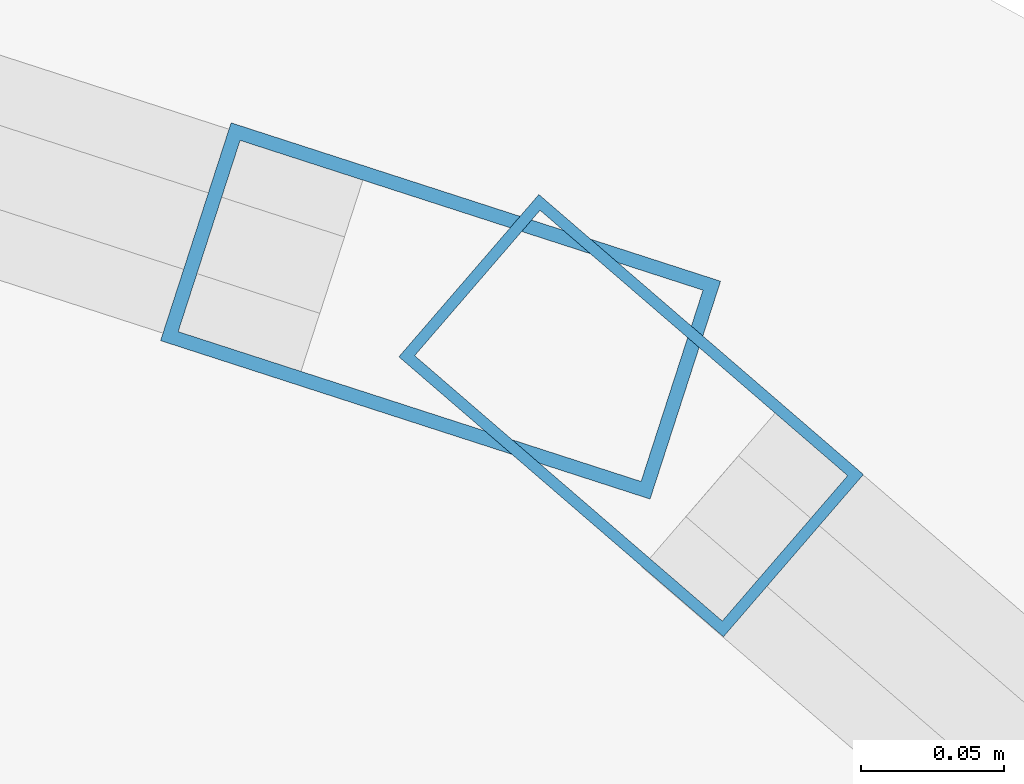
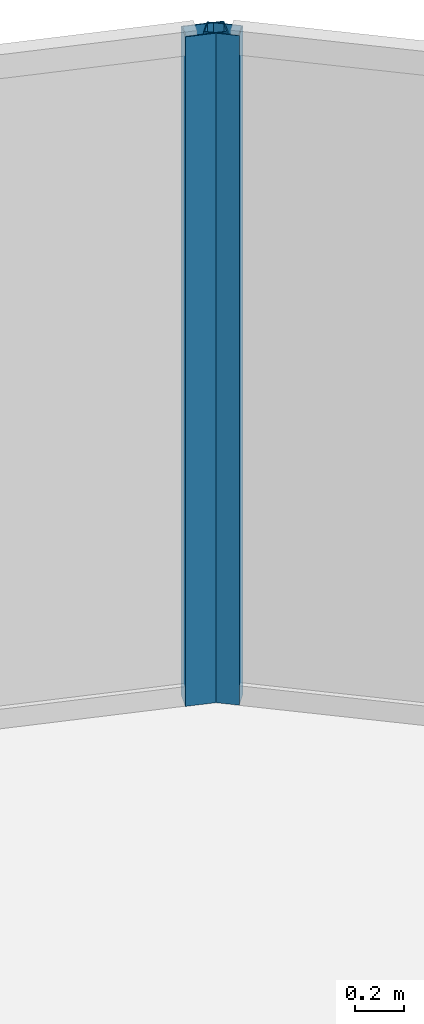
# One storey, part 19 of 33: 2 members, 2 elements without a shape of their own.
"""IFC4 building model written with IfcOpenShell, lengths in metres."""

import ifcopenshell
import ifcopenshell.guid

model = None  # the IFC model being written
_history = None  # IfcOwnerHistory: only IFC2X3 demands one
_inside = {}  # id of a spatial element -> (the spatial element, [elements in it])
_under = {}  # id of a project, library or spatial element -> (it, [spatial elements below it])
_declared = {}  # id of a project -> (the project, [libraries it declares])
_typed = {}  # id of a type object -> (the type object, [elements of that type])
_made_of = {}  # id of a material, layer set ... -> (it, [elements and type objects made of it])


def new_model(schema):
    """Start an empty IFC model of exactly this schema.

    Asked for "IFC4X3", IfcOpenShell would pick the latest addendum, in which some entities
    have other attributes; the version numbers below select the first issue.
    IFC2X3 requires an IfcOwnerHistory on every rooted entity: one is made here for all.
    """
    global model, _history
    if schema == "IFC4X3":
        model = ifcopenshell.file(schema_version=(4, 3, 0, 0))
    else:
        model = ifcopenshell.file(schema=schema)
    _inside.clear()
    _under.clear()
    _declared.clear()
    _typed.clear()
    _made_of.clear()
    _history = None
    if model.schema == "IFC2X3":
        org = make("IfcOrganization", Name="unknown")
        user = make(
            "IfcPersonAndOrganization",
            ThePerson=make("IfcPerson", FamilyName="unknown"),
            TheOrganization=org,
        )
        app = make(
            "IfcApplication",
            ApplicationDeveloper=org,
            Version="unknown",
            ApplicationFullName="unknown",
            ApplicationIdentifier="unknown",
        )
        _history = make(
            "IfcOwnerHistory",
            OwningUser=user,
            OwningApplication=app,
            ChangeAction="ADDED",
            CreationDate=0,
        )
    return model


def make(cls, **values):
    """One entity of the class cls with the attributes given. An attribute that is None is left unset."""
    return model.create_entity(
        cls, **{name: value for name, value in values.items() if value is not None}
    )


def rooted(cls, **values):
    """An entity with a GlobalId (a new one), such as an element, a storey or a relation."""
    return make(cls, GlobalId=ifcopenshell.guid.new(), OwnerHistory=_history, **values)


def si_unit(unit_type, name, prefix=None):
    """IfcSIUnit, for example si_unit("LENGTHUNIT", "METRE", prefix="MILLI")."""
    return make("IfcSIUnit", UnitType=unit_type, Prefix=prefix, Name=name)


def assignment(units):
    """IfcUnitAssignment: the units of a project."""
    return None if units is None else make("IfcUnitAssignment", Units=units)


def point(xyz):
    """IfcCartesianPoint."""
    return None if xyz is None else make("IfcCartesianPoint", Coordinates=xyz)


def direction(xyz):
    """IfcDirection."""
    return None if xyz is None else make("IfcDirection", DirectionRatios=xyz)


def frame(location, z_axis=None, x_axis=None):
    """IfcAxis2Placement3D, a coordinate frame: its origin and axes. An axis left out is left unset."""
    return make(
        "IfcAxis2Placement3D",
        Location=point(location),
        Axis=direction(z_axis),
        RefDirection=direction(x_axis),
    )


def frame_2d(location, x_axis=None):
    """IfcAxis2Placement2D, a coordinate frame in the plane: its origin and x axis."""
    return make(
        "IfcAxis2Placement2D", Location=point(location), RefDirection=direction(x_axis)
    )


def origin():
    """The frame at (0, 0, 0) with its axes left unset."""
    return frame((0.0, 0.0, 0.0))


def origin_2d():
    """The frame at (0, 0) in the plane with its x axis left unset."""
    return frame_2d((0.0, 0.0))


def place(relative_to, where):
    """IfcLocalPlacement: puts the frame where relative to a parent placement (None: the world)."""
    return make(
        "IfcLocalPlacement", PlacementRelTo=relative_to, RelativePlacement=where
    )


def context(
    kind, dimensions, precision=None, world=None, true_north=None, identifier=None
):
    """IfcGeometricRepresentationContext, for example the 3D "Model" context."""
    return make(
        "IfcGeometricRepresentationContext",
        ContextIdentifier=identifier,
        ContextType=kind,
        CoordinateSpaceDimension=dimensions,
        Precision=precision,
        WorldCoordinateSystem=world,
        TrueNorth=true_north,
    )


def subcontext(parent, identifier, kind, view, scale=None):
    """IfcGeometricRepresentationSubContext, for example "Body" below "Model"."""
    return make(
        "IfcGeometricRepresentationSubContext",
        ContextIdentifier=identifier,
        ContextType=kind,
        ParentContext=parent,
        TargetScale=scale,
        TargetView=view,
    )


def project(units=None, contexts=None):
    """IfcProject with its units and contexts."""
    return rooted(
        "IfcProject",
        Name="project",
        RepresentationContexts=contexts,
        UnitsInContext=assignment(units),
    )


def spatial(cls, under=None, at=None, **own):
    """A site, building, storey or space (cls), placed at a placement, below another one or the project."""
    s = rooted(cls, ObjectPlacement=at, **own)
    if under is not None:
        _under.setdefault(under.id(), (under, []))[1].append(s)
    return s


def profile(cls, at=None, kind="AREA", **sizes):
    """A parametric profile (cls). Its sizes go by their IFC names, for example OverallWidth=200.0."""
    return make(cls, ProfileType=kind, Position=at, **sizes)


def hollow_rectangle(**sizes):
    """IfcRectangleHollowProfileDef."""
    return profile("IfcRectangleHollowProfileDef", **sizes)


def extrude(swept, where, along, depth):
    """IfcExtrudedAreaSolid: the profile swept, set in the frame where, extruded along a direction by depth."""
    return make(
        "IfcExtrudedAreaSolid",
        SweptArea=swept,
        Position=where,
        ExtrudedDirection=direction(along),
        Depth=depth,
    )


def shape(context_of_items, identifier, shape_type, items):
    """IfcShapeRepresentation: the items that make up one representation, for example the "Body"."""
    return make(
        "IfcShapeRepresentation",
        ContextOfItems=context_of_items,
        RepresentationIdentifier=identifier,
        RepresentationType=shape_type,
        Items=items,
    )


def material(Name=None, Category=None):
    """IfcMaterial."""
    return make("IfcMaterial", Name=Name, Category=Category)


def layer(
    of_material, thickness, ventilated=None, Name=None, Category=None, Priority=None
):
    """IfcMaterialLayer: one layer of a wall or slab, of a material (None: an air gap)."""
    return make(
        "IfcMaterialLayer",
        Material=of_material,
        LayerThickness=thickness,
        IsVentilated=ventilated,
        Name=Name,
        Category=Category,
        Priority=Priority,
    )


def layer_set(layers, Name=None):
    """IfcMaterialLayerSet."""
    return make("IfcMaterialLayerSet", MaterialLayers=layers, LayerSetName=Name)


def material_profile(
    of_material, cross_section, Name=None, Category=None, Priority=None
):
    """IfcMaterialProfile: a cross section and its material."""
    return make(
        "IfcMaterialProfile",
        Name=Name,
        Material=of_material,
        Profile=cross_section,
        Priority=Priority,
        Category=Category,
    )


def profile_set(profiles, Name=None, composite=None):
    """IfcMaterialProfileSet."""
    return make(
        "IfcMaterialProfileSet",
        Name=Name,
        MaterialProfiles=profiles,
        CompositeProfile=composite,
    )


def made_of(thing, what):
    """Note that an element or type object is made of a material, layer set ...; save() writes the relation."""
    if what is not None:
        _made_of.setdefault(what.id(), (what, []))[1].append(thing)
    return thing


def type_object(cls, material=None, **own):
    """A type object (cls), such as IfcWallType, which elements share."""
    return made_of(rooted(cls, **own), material)


def element(
    cls,
    number,
    at=None,
    inside=None,
    cuts=None,
    type_object=None,
    material=None,
    context=None,
    identifier="Body",
    shape_type=None,
    held_by="IfcProductDefinitionShape",
    body=None,
    shapes=None,
    **own,
):
    """One element of the class cls, such as IfcWall. Its Tag is "e" and its number.

    at: its placement. inside: the storey or other place that contains it. cuts: it is an
    opening in that element (IfcRelVoidsElement). A single representation is given by context,
    identifier, shape_type and body (its items); several are given by shapes. held_by: the class
    of the entity that holds the representations. save() writes the other relations.
    """
    e = rooted(cls, Tag="e%d" % number, ObjectPlacement=at, **own)
    if body is not None:
        shapes = [shape(context, identifier, shape_type, body)]
    if shapes is not None:
        e.Representation = make(held_by, Representations=shapes)
    if inside is not None:
        _inside.setdefault(inside.id(), (inside, []))[1].append(e)
    if cuts is not None:
        rooted(
            "IfcRelVoidsElement", RelatingBuildingElement=cuts, RelatedOpeningElement=e
        )
    if type_object is not None:
        _typed.setdefault(type_object.id(), (type_object, []))[1].append(e)
    return made_of(e, material)


def aggregate(whole, parts):
    """IfcRelAggregates: a whole, such as a stair, and the parts it consists of."""
    return rooted("IfcRelAggregates", RelatingObject=whole, RelatedObjects=parts)


def save(model, path):
    """Write the relations noted so far, then the file.

    IfcRelAggregates (storeys below a building ...), IfcRelContainedInSpatialStructure (elements
    in a storey), IfcRelDefinesByType, IfcRelAssociatesMaterial and IfcRelDeclares: one each for
    every whole, place, type object, material and project.
    """
    for whole, parts in _under.values():
        aggregate(whole, parts)
    for where, things in _inside.values():
        rooted(
            "IfcRelContainedInSpatialStructure",
            RelatedElements=things,
            RelatingStructure=where,
        )
    for kind, things in _typed.values():
        rooted("IfcRelDefinesByType", RelatedObjects=things, RelatingType=kind)
    for what, things in _made_of.values():
        rooted("IfcRelAssociatesMaterial", RelatedObjects=things, RelatingMaterial=what)
    for by, libraries in _declared.values():
        rooted("IfcRelDeclares", RelatingContext=by, RelatedDefinitions=libraries)
    model.write(path)


model = new_model("IFC4")

# Units and contexts
model_context = context("Model", 3, precision=1e-05, world=origin(), true_north=direction((0.0, 1.0)))
body_context = subcontext(model_context, "Body", "Model", "MODEL_VIEW")
ifc_project = project(units=[si_unit("LENGTHUNIT", "METRE"), si_unit("AREAUNIT", "SQUARE_METRE"), si_unit("VOLUMEUNIT", "CUBIC_METRE"), si_unit("PLANEANGLEUNIT", "RADIAN"), si_unit("MASSUNIT", "GRAM", prefix="KILO")], contexts=[model_context])

# Site, building, storey
site_placement = place(None, origin())
site = spatial("IfcSite", under=ifc_project, at=site_placement, CompositionType="ELEMENT")
building_placement = place(site_placement, origin())
building = spatial("IfcBuilding", under=site, at=building_placement, Name="Kazevale Care Tower and Concert Hall", CompositionType="ELEMENT")
storey_placement = place(building_placement, frame((0.0, 0.0, 49.199951171875)))
storey = spatial("IfcBuildingStorey", under=building, at=storey_placement, Name="L12", CompositionType="ELEMENT", Elevation=49.199951171875)

# Curtain wall, member
ifc_material_1 = material(Name="Aluminium 6063-T6 and Low-E Glass", Category="aluminium")
ifc_layer_1 = layer(ifc_material_1, 0.179931640625)
ifc_layer_set_1 = layer_set([ifc_layer_1], Name="Aluminium 6063-T6 and Low-E Glass")
curtain_wall_type_1 = type_object("IfcCurtainWallType", Name="Convex Checkerboard Finned Curtain Wall CW-2", PredefinedType="NOTDEFINED", material=ifc_layer_set_1)
curtain_wall_1_placement = place(storey_placement, origin())
curtain_wall_1 = element("IfcCurtainWall", 1, at=curtain_wall_1_placement, inside=storey, type_object=curtain_wall_type_1, Name="cw:L12:f16", PredefinedType="NOTDEFINED")
ifc_material_2 = material(Name="Aluminium 6063-T6", Category="aluminium")
ifc_material_profile_1 = material_profile(ifc_material_2, hollow_rectangle(XDim=0.080078125, YDim=0.179931640625, WallThickness=0.0048828125, at=origin_2d()), Name="ALU80x180x5")
ifc_profile_set_1 = profile_set([ifc_material_profile_1], Name="Aluminium 6063-T6")
member_type_1 = type_object("IfcMemberType", Name="CW-2 Mullion ALU80x180x5", PredefinedType="MULLION", material=ifc_profile_set_1)
member_1_placement = place(storey_placement, frame((63.891845703125, 61.240234375, 0.0), z_axis=(0.0, 0.0, 1.0), x_axis=(0.307925769029, 0.951410385043, 0.0)))
member_1 = element("IfcMember", 2, at=member_1_placement, type_object=member_type_1, Name="CW-2 mullion 2", PredefinedType="MULLION", context=body_context, shape_type="SweptSolid", body=[
    extrude(hollow_rectangle(XDim=0.080078125, YDim=0.179931640625, WallThickness=0.0048828125, at=origin_2d()), origin(), (0.0, 0.0, 1.0), 3.360107421875),
])
aggregate(curtain_wall_1, [member_1])

ifc_layer_2 = layer(ifc_material_1, 0.179931640625)
ifc_layer_set_2 = layer_set([ifc_layer_2], Name="Aluminium 6063-T6 and Low-E Glass")
curtain_wall_type_2 = type_object("IfcCurtainWallType", Name="Convex Recessed Sunroom Curtain Wall CW-3", PredefinedType="NOTDEFINED", material=ifc_layer_set_2)
curtain_wall_2_placement = place(storey_placement, origin())
curtain_wall_2 = element("IfcCurtainWall", 3, at=curtain_wall_2_placement, inside=storey, type_object=curtain_wall_type_2, Name="cw:L12:f17", PredefinedType="NOTDEFINED")
ifc_material_profile_2 = material_profile(ifc_material_2, hollow_rectangle(XDim=0.074951171875, YDim=0.14990234375, WallThickness=0.00390625, at=origin_2d()), Name="ALU75x150x4")
ifc_profile_set_2 = profile_set([ifc_material_profile_2], Name="Aluminium 6063-T6")
member_type_2 = type_object("IfcMemberType", Name="CW-3 Mullion ALU75x150x4", PredefinedType="MULLION", material=ifc_profile_set_2)
member_2_placement = place(storey_placement, frame((63.95849609375, 61.20361328125, 0.0), z_axis=(0.0, 0.0, 1.0), x_axis=(0.653183596561, 0.757199570248, 0.0)))
member_2 = element("IfcMember", 4, at=member_2_placement, type_object=member_type_2, Name="CW-3 mullion 1", PredefinedType="MULLION", context=body_context, shape_type="SweptSolid", body=[
    extrude(hollow_rectangle(XDim=0.074951171875, YDim=0.14990234375, WallThickness=0.00390625, at=origin_2d()), origin(), (0.0, 0.0, 1.0), 3.360107421875),
])
aggregate(curtain_wall_2, [member_2])

save(model, "model.ifc")
